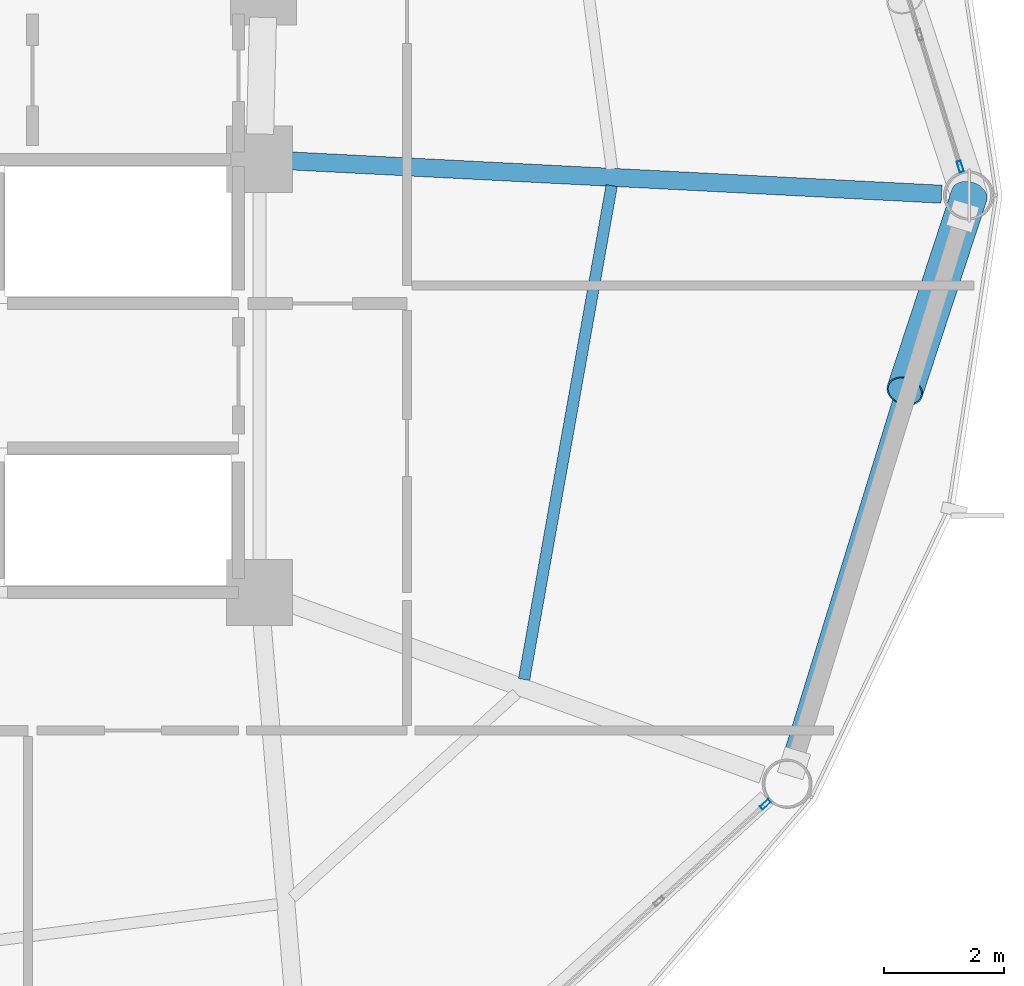
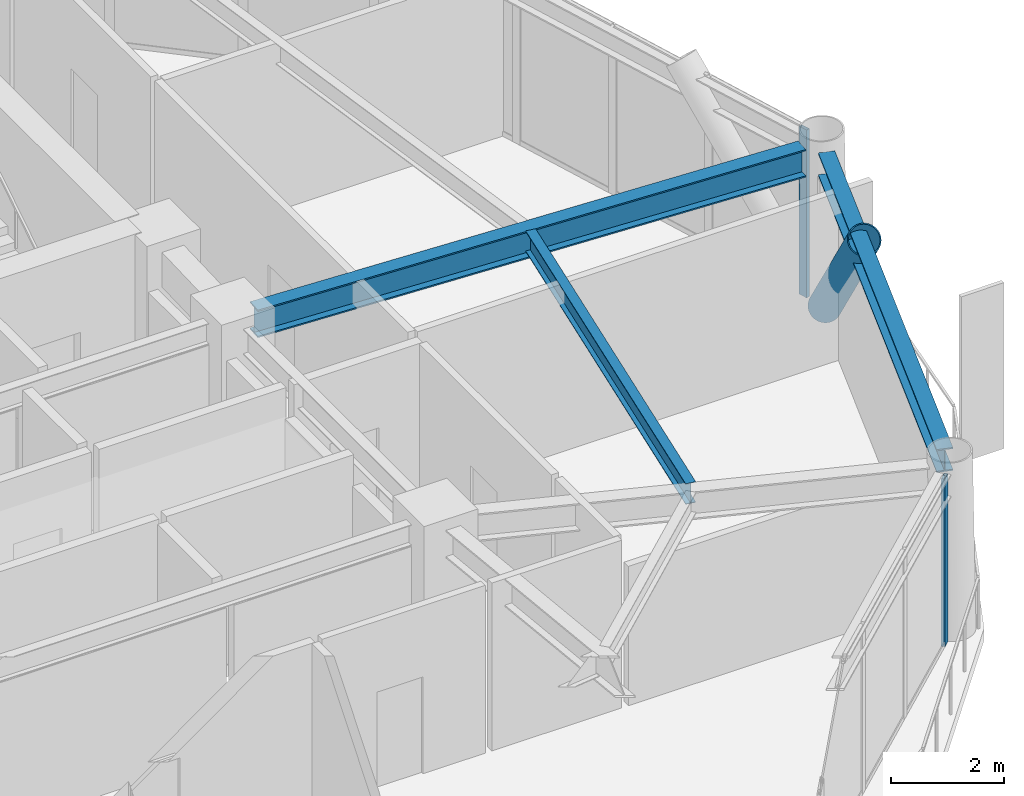
# One storey, part 12 of 25: 3 beams, 3 members, 2 elements without a shape of their own.
"""IFC4 building model written with IfcOpenShell, lengths in metres."""

from ifc_helpers import new_model, si_unit, direction, frame, origin, origin_2d, place, context, subcontext, project, spatial, hollow_rectangle, hollow_circle, i_section, extrude, material, layer, layer_set, material_profile, profile_set, type_object, element, aggregate, save


model = new_model("IFC4")

# Units and contexts
model_context = context("Model", 3, precision=1e-05, world=origin(), true_north=direction((0.0, 1.0)))
body_context = subcontext(model_context, "Body", "Model", "MODEL_VIEW")
ifc_project = project(units=[si_unit("LENGTHUNIT", "METRE"), si_unit("AREAUNIT", "SQUARE_METRE"), si_unit("VOLUMEUNIT", "CUBIC_METRE"), si_unit("PLANEANGLEUNIT", "RADIAN"), si_unit("MASSUNIT", "GRAM", prefix="KILO")], contexts=[model_context])

# Site, building, storey
site_placement = place(None, origin())
site = spatial("IfcSite", under=ifc_project, at=site_placement, CompositionType="ELEMENT")
building_placement = place(site_placement, origin())
building = spatial("IfcBuilding", under=site, at=building_placement, Name="Varnakorn Sky Granary", CompositionType="ELEMENT")
storey_placement = place(building_placement, frame((0.0, 0.0, 99.300048828125)))
storey = spatial("IfcBuildingStorey", under=building, at=storey_placement, Name="L24", CompositionType="ELEMENT", Elevation=99.300048828125)

# Beams
ifc_material_1 = material(Name="Steel S355JR", Category="steel")
ifc_material_profile_1 = material_profile(ifc_material_1, i_section(OverallWidth=0.300048828125, OverallDepth=0.60009765625, WebThickness=0.015380859375, FlangeThickness=0.030029296875, at=origin_2d()), Name="HE 600 B")
ifc_profile_set_1 = profile_set([ifc_material_profile_1], Name="Steel S355JR")
beam_type_1 = type_object("IfcBeamType", Name="BM-RAD-Z2", PredefinedType="BEAM", material=ifc_profile_set_1)
beam_1_placement = place(storey_placement, frame((8.76953125, 0.57861328125, 3.33984375), z_axis=(0.998694797182, -0.05107545478, 0.0), x_axis=(0.05107545478, 0.998694797182, 0.0)))
element("IfcBeam", 1, at=beam_1_placement, inside=storey, type_object=beam_type_1, Name="Radial Floor Girder RG01 L24", PredefinedType="BEAM", context=body_context, shape_type="SweptSolid", body=[
    extrude(i_section(OverallWidth=0.300048828125, OverallDepth=0.60009765625, WebThickness=0.015380859375, FlangeThickness=0.030029296875, at=origin_2d()), origin(), (0.0, 0.0, 1.0), 10.9365234375),
])
ifc_material_profile_2 = material_profile(ifc_material_1, i_section(OverallWidth=0.18994140625, OverallDepth=0.449951171875, WebThickness=0.009521484375, FlangeThickness=0.0146484375, at=origin_2d()), Name="IPE 450")
ifc_profile_set_2 = profile_set([ifc_material_profile_2], Name="Steel S355JR")
beam_type_2 = type_object("IfcBeamType", Name="BM-SEC-Z2", PredefinedType="BEAM", material=ifc_profile_set_2)
beam_2_placement = place(storey_placement, frame((12.75, -8.04833984375, 3.4150390625), z_axis=(0.174655512442, 0.98462960141, 0.0), x_axis=(-0.98462960141, 0.174655512442, 0.0)))
element("IfcBeam", 2, at=beam_2_placement, inside=storey, type_object=beam_type_2, Name="Secondary Floor Chord Beam MSB12 L24", PredefinedType="BEAM", context=body_context, shape_type="SweptSolid", body=[
    extrude(i_section(OverallWidth=0.18994140625, OverallDepth=0.449951171875, WebThickness=0.009521484375, FlangeThickness=0.0146484375, at=origin_2d()), origin(), (0.0, 0.0, 1.0), 8.338134765625),
])
ifc_material_profile_3 = material_profile(ifc_material_1, i_section(OverallWidth=0.300048828125, OverallDepth=0.5, WebThickness=0.014404296875, FlangeThickness=0.028076171875, at=origin_2d()), Name="HE 500 B")
ifc_profile_set_3 = profile_set([ifc_material_profile_3], Name="Steel S355JR")
beam_type_3 = type_object("IfcBeamType", Name="BM-SPD-Z2", PredefinedType="SPANDREL", material=ifc_profile_set_3)
beam_3_placement = place(storey_placement, frame((17.189697265625, -9.388427734375, 3.389892578125), z_axis=(0.294513225016, 0.955647403748, 0.0), x_axis=(-0.955647403748, 0.294513225016, 0.0)))
element("IfcBeam", 3, at=beam_3_placement, inside=storey, type_object=beam_type_3, Name="Perimeter Spandrel Ring Beam RB12 L24", PredefinedType="SPANDREL", context=body_context, shape_type="SweptSolid", body=[
    extrude(i_section(OverallWidth=0.300048828125, OverallDepth=0.5, WebThickness=0.014404296875, FlangeThickness=0.028076171875, at=origin_2d()), origin(), (0.0, 0.0, 1.0), 9.432861328125),
])

# Curtain wall, member
ifc_material_2 = material(Name="Anodised Bronze Aluminium Alloy 6063-T6", Category="aluminium")
ifc_layer = layer(ifc_material_2, 0.18994140625, Name="Anodised Bronze Aluminium Alloy 6063-T6")
ifc_layer_set = layer_set([ifc_layer], Name="Anodised Bronze Aluminium Alloy 6063-T6")
curtain_wall_type = type_object("IfcCurtainWallType", Name="CW-FRM-1", PredefinedType="USERDEFINED", material=ifc_layer_set)
curtain_wall_1_placement = place(storey_placement, origin())
curtain_wall_1 = element("IfcCurtainWall", 4, at=curtain_wall_1_placement, inside=storey, type_object=curtain_wall_type, Name="Unitised Curtain Wall CW3 CW-L24-B01", ObjectType="CURTAIN WALL", PredefinedType="USERDEFINED")
ifc_material_profile_4 = material_profile(ifc_material_2, hollow_rectangle(XDim=0.070068359375, YDim=0.18505859375, WallThickness=0.00390625, at=origin_2d()), Name="ALU MULL 70x185")
ifc_profile_set_4 = profile_set([ifc_material_profile_4], Name="Anodised Bronze Aluminium Alloy 6063-T6")
member_type_1 = type_object("IfcMemberType", Name="CW-FRM-1-MULL", PredefinedType="MULLION", material=ifc_profile_set_4)
member_1_placement = place(storey_placement, frame((20.002197265625, 0.479248046875, 0.0), z_axis=(0.0, 0.0, 1.0), x_axis=(0.955604848445, 0.294651274609, 0.0)))
member_1 = element("IfcMember", 5, at=member_1_placement, type_object=member_type_1, Name="CW3 mullion 5", PredefinedType="MULLION", context=body_context, shape_type="SweptSolid", body=[
    extrude(hollow_rectangle(XDim=0.070068359375, YDim=0.18505859375, WallThickness=0.00390625, at=origin_2d()), origin(), (0.0, 0.0, 1.0), 3.639892578125),
])
aggregate(curtain_wall_1, [member_1])

curtain_wall_2_placement = place(storey_placement, origin())
curtain_wall_2 = element("IfcCurtainWall", 6, at=curtain_wall_2_placement, inside=storey, type_object=curtain_wall_type, Name="Unitised Curtain Wall CW3 CW-L24-B11", ObjectType="CURTAIN WALL", PredefinedType="USERDEFINED")
member_2_placement = place(storey_placement, frame((16.761474609375, -10.12353515625, 0.0), z_axis=(0.0, 0.0, 1.0), x_axis=(0.672918732545, -0.739716418224, 0.0)))
member_2 = element("IfcMember", 7, at=member_2_placement, type_object=member_type_1, Name="CW3 mullion 1", PredefinedType="MULLION", context=body_context, shape_type="SweptSolid", body=[
    extrude(hollow_rectangle(XDim=0.070068359375, YDim=0.18505859375, WallThickness=0.00390625, at=origin_2d()), origin(), (0.0, 0.0, 1.0), 3.639892578125),
])
aggregate(curtain_wall_2, [member_2])

# Member
ifc_material_3 = material(Name="Steel S460M", Category="steel")
ifc_material_profile_5 = material_profile(ifc_material_3, hollow_circle(Radius=0.304931640625, WallThickness=0.022216796875, at=origin_2d()), Name="CHS 610x22")
ifc_profile_set_5 = profile_set([ifc_material_profile_5], Name="Steel S460M")
member_type_2 = type_object("IfcMemberType", Name="MB-DIAG-T1", PredefinedType="BRACE", material=ifc_profile_set_5)
member_3_placement = place(storey_placement, frame((20.14990234375, 0.0, 0.0), z_axis=(-0.209413830721, -0.636986980757, 0.741885054338), x_axis=(0.949979499636, -0.312312264041, 0.0)))
element("IfcMember", 8, at=member_3_placement, inside=storey, type_object=member_type_2, Name="Perimeter CHS Diagrid Brace DG12 L24", PredefinedType="BRACE", context=body_context, shape_type="SweptSolid", body=[
    extrude(hollow_circle(Radius=0.304931640625, WallThickness=0.022216796875, at=origin_2d()), origin(), (0.0, 0.0, 1.0), 5.108642578125),
])

save(model, "model.ifc")
